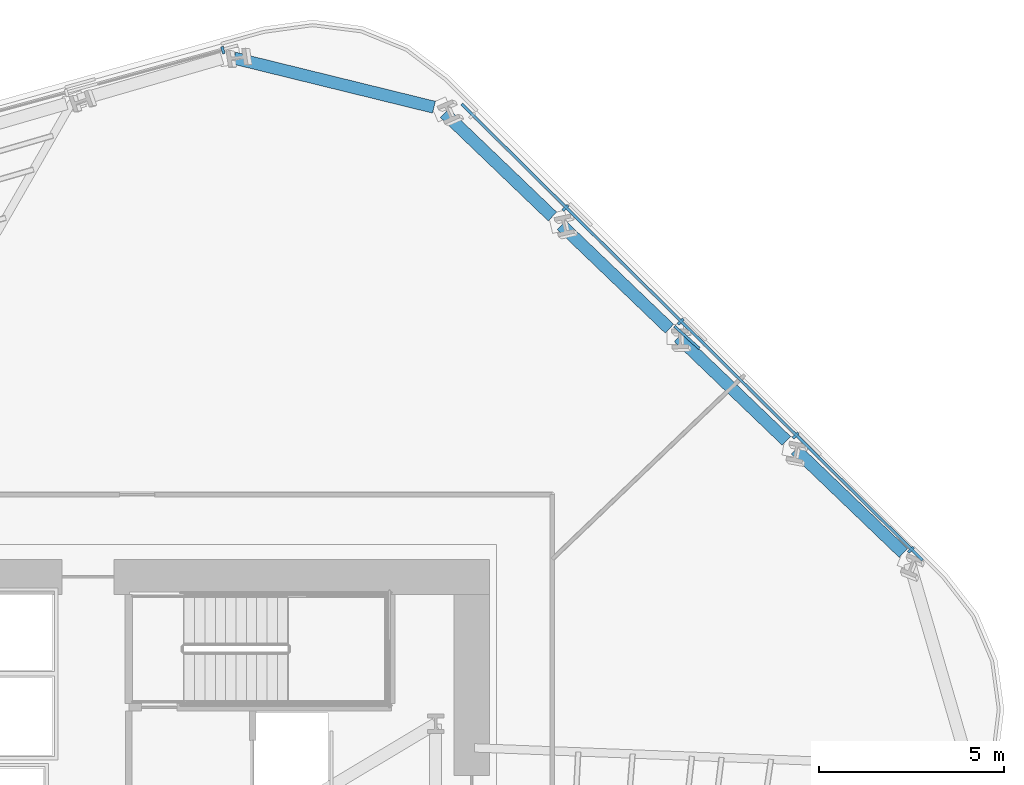
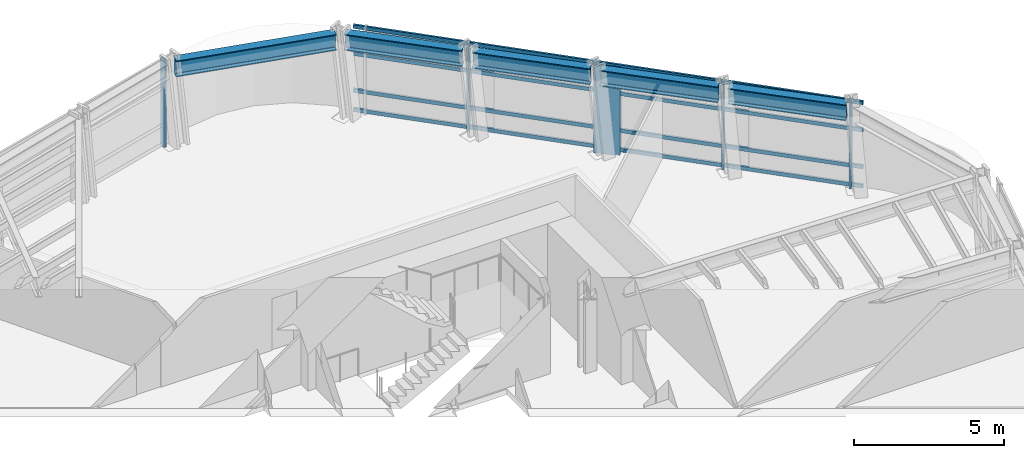
# One storey, part 6 of 16: 10 members, 5 beams, 2 elements without a shape of their own.
"""IFC4 building model written with IfcOpenShell, lengths in metres."""

import ifcopenshell
import ifcopenshell.guid

model = None  # the IFC model being written
_history = None  # IfcOwnerHistory: only IFC2X3 demands one
_inside = {}  # id of a spatial element -> (the spatial element, [elements in it])
_under = {}  # id of a project, library or spatial element -> (it, [spatial elements below it])
_declared = {}  # id of a project -> (the project, [libraries it declares])
_typed = {}  # id of a type object -> (the type object, [elements of that type])
_made_of = {}  # id of a material, layer set ... -> (it, [elements and type objects made of it])


def new_model(schema):
    """Start an empty IFC model of exactly this schema.

    Asked for "IFC4X3", IfcOpenShell would pick the latest addendum, in which some entities
    have other attributes; the version numbers below select the first issue.
    IFC2X3 requires an IfcOwnerHistory on every rooted entity: one is made here for all.
    """
    global model, _history
    if schema == "IFC4X3":
        model = ifcopenshell.file(schema_version=(4, 3, 0, 0))
    else:
        model = ifcopenshell.file(schema=schema)
    _inside.clear()
    _under.clear()
    _declared.clear()
    _typed.clear()
    _made_of.clear()
    _history = None
    if model.schema == "IFC2X3":
        org = make("IfcOrganization", Name="unknown")
        user = make(
            "IfcPersonAndOrganization",
            ThePerson=make("IfcPerson", FamilyName="unknown"),
            TheOrganization=org,
        )
        app = make(
            "IfcApplication",
            ApplicationDeveloper=org,
            Version="unknown",
            ApplicationFullName="unknown",
            ApplicationIdentifier="unknown",
        )
        _history = make(
            "IfcOwnerHistory",
            OwningUser=user,
            OwningApplication=app,
            ChangeAction="ADDED",
            CreationDate=0,
        )
    return model


def make(cls, **values):
    """One entity of the class cls with the attributes given. An attribute that is None is left unset."""
    return model.create_entity(
        cls, **{name: value for name, value in values.items() if value is not None}
    )


def rooted(cls, **values):
    """An entity with a GlobalId (a new one), such as an element, a storey or a relation."""
    return make(cls, GlobalId=ifcopenshell.guid.new(), OwnerHistory=_history, **values)


def si_unit(unit_type, name, prefix=None):
    """IfcSIUnit, for example si_unit("LENGTHUNIT", "METRE", prefix="MILLI")."""
    return make("IfcSIUnit", UnitType=unit_type, Prefix=prefix, Name=name)


def assignment(units):
    """IfcUnitAssignment: the units of a project."""
    return None if units is None else make("IfcUnitAssignment", Units=units)


def point(xyz):
    """IfcCartesianPoint."""
    return None if xyz is None else make("IfcCartesianPoint", Coordinates=xyz)


def direction(xyz):
    """IfcDirection."""
    return None if xyz is None else make("IfcDirection", DirectionRatios=xyz)


def frame(location, z_axis=None, x_axis=None):
    """IfcAxis2Placement3D, a coordinate frame: its origin and axes. An axis left out is left unset."""
    return make(
        "IfcAxis2Placement3D",
        Location=point(location),
        Axis=direction(z_axis),
        RefDirection=direction(x_axis),
    )


def frame_2d(location, x_axis=None):
    """IfcAxis2Placement2D, a coordinate frame in the plane: its origin and x axis."""
    return make(
        "IfcAxis2Placement2D", Location=point(location), RefDirection=direction(x_axis)
    )


def origin():
    """The frame at (0, 0, 0) with its axes left unset."""
    return frame((0.0, 0.0, 0.0))


def origin_2d():
    """The frame at (0, 0) in the plane with its x axis left unset."""
    return frame_2d((0.0, 0.0))


def place(relative_to, where):
    """IfcLocalPlacement: puts the frame where relative to a parent placement (None: the world)."""
    return make(
        "IfcLocalPlacement", PlacementRelTo=relative_to, RelativePlacement=where
    )


def context(
    kind, dimensions, precision=None, world=None, true_north=None, identifier=None
):
    """IfcGeometricRepresentationContext, for example the 3D "Model" context."""
    return make(
        "IfcGeometricRepresentationContext",
        ContextIdentifier=identifier,
        ContextType=kind,
        CoordinateSpaceDimension=dimensions,
        Precision=precision,
        WorldCoordinateSystem=world,
        TrueNorth=true_north,
    )


def subcontext(parent, identifier, kind, view, scale=None):
    """IfcGeometricRepresentationSubContext, for example "Body" below "Model"."""
    return make(
        "IfcGeometricRepresentationSubContext",
        ContextIdentifier=identifier,
        ContextType=kind,
        ParentContext=parent,
        TargetScale=scale,
        TargetView=view,
    )


def project(units=None, contexts=None):
    """IfcProject with its units and contexts."""
    return rooted(
        "IfcProject",
        Name="project",
        RepresentationContexts=contexts,
        UnitsInContext=assignment(units),
    )


def spatial(cls, under=None, at=None, **own):
    """A site, building, storey or space (cls), placed at a placement, below another one or the project."""
    s = rooted(cls, ObjectPlacement=at, **own)
    if under is not None:
        _under.setdefault(under.id(), (under, []))[1].append(s)
    return s


def profile(cls, at=None, kind="AREA", **sizes):
    """A parametric profile (cls). Its sizes go by their IFC names, for example OverallWidth=200.0."""
    return make(cls, ProfileType=kind, Position=at, **sizes)


def rectangle(**sizes):
    """IfcRectangleProfileDef."""
    return profile("IfcRectangleProfileDef", **sizes)


def i_section(**sizes):
    """IfcIShapeProfileDef."""
    return profile("IfcIShapeProfileDef", **sizes)


def extrude(swept, where, along, depth):
    """IfcExtrudedAreaSolid: the profile swept, set in the frame where, extruded along a direction by depth."""
    return make(
        "IfcExtrudedAreaSolid",
        SweptArea=swept,
        Position=where,
        ExtrudedDirection=direction(along),
        Depth=depth,
    )


def shape(context_of_items, identifier, shape_type, items):
    """IfcShapeRepresentation: the items that make up one representation, for example the "Body"."""
    return make(
        "IfcShapeRepresentation",
        ContextOfItems=context_of_items,
        RepresentationIdentifier=identifier,
        RepresentationType=shape_type,
        Items=items,
    )


def material(Name=None, Category=None):
    """IfcMaterial."""
    return make("IfcMaterial", Name=Name, Category=Category)


def layer(
    of_material, thickness, ventilated=None, Name=None, Category=None, Priority=None
):
    """IfcMaterialLayer: one layer of a wall or slab, of a material (None: an air gap)."""
    return make(
        "IfcMaterialLayer",
        Material=of_material,
        LayerThickness=thickness,
        IsVentilated=ventilated,
        Name=Name,
        Category=Category,
        Priority=Priority,
    )


def layer_set(layers, Name=None):
    """IfcMaterialLayerSet."""
    return make("IfcMaterialLayerSet", MaterialLayers=layers, LayerSetName=Name)


def material_profile(
    of_material, cross_section, Name=None, Category=None, Priority=None
):
    """IfcMaterialProfile: a cross section and its material."""
    return make(
        "IfcMaterialProfile",
        Name=Name,
        Material=of_material,
        Profile=cross_section,
        Priority=Priority,
        Category=Category,
    )


def profile_set(profiles, Name=None, composite=None):
    """IfcMaterialProfileSet."""
    return make(
        "IfcMaterialProfileSet",
        Name=Name,
        MaterialProfiles=profiles,
        CompositeProfile=composite,
    )


def made_of(thing, what):
    """Note that an element or type object is made of a material, layer set ...; save() writes the relation."""
    if what is not None:
        _made_of.setdefault(what.id(), (what, []))[1].append(thing)
    return thing


def type_object(cls, material=None, **own):
    """A type object (cls), such as IfcWallType, which elements share."""
    return made_of(rooted(cls, **own), material)


def element(
    cls,
    number,
    at=None,
    inside=None,
    cuts=None,
    type_object=None,
    material=None,
    context=None,
    identifier="Body",
    shape_type=None,
    held_by="IfcProductDefinitionShape",
    body=None,
    shapes=None,
    **own,
):
    """One element of the class cls, such as IfcWall. Its Tag is "e" and its number.

    at: its placement. inside: the storey or other place that contains it. cuts: it is an
    opening in that element (IfcRelVoidsElement). A single representation is given by context,
    identifier, shape_type and body (its items); several are given by shapes. held_by: the class
    of the entity that holds the representations. save() writes the other relations.
    """
    e = rooted(cls, Tag="e%d" % number, ObjectPlacement=at, **own)
    if body is not None:
        shapes = [shape(context, identifier, shape_type, body)]
    if shapes is not None:
        e.Representation = make(held_by, Representations=shapes)
    if inside is not None:
        _inside.setdefault(inside.id(), (inside, []))[1].append(e)
    if cuts is not None:
        rooted(
            "IfcRelVoidsElement", RelatingBuildingElement=cuts, RelatedOpeningElement=e
        )
    if type_object is not None:
        _typed.setdefault(type_object.id(), (type_object, []))[1].append(e)
    return made_of(e, material)


def aggregate(whole, parts):
    """IfcRelAggregates: a whole, such as a stair, and the parts it consists of."""
    return rooted("IfcRelAggregates", RelatingObject=whole, RelatedObjects=parts)


def save(model, path):
    """Write the relations noted so far, then the file.

    IfcRelAggregates (storeys below a building ...), IfcRelContainedInSpatialStructure (elements
    in a storey), IfcRelDefinesByType, IfcRelAssociatesMaterial and IfcRelDeclares: one each for
    every whole, place, type object, material and project.
    """
    for whole, parts in _under.values():
        aggregate(whole, parts)
    for where, things in _inside.values():
        rooted(
            "IfcRelContainedInSpatialStructure",
            RelatedElements=things,
            RelatingStructure=where,
        )
    for kind, things in _typed.values():
        rooted("IfcRelDefinesByType", RelatedObjects=things, RelatingType=kind)
    for what, things in _made_of.values():
        rooted("IfcRelAssociatesMaterial", RelatedObjects=things, RelatingMaterial=what)
    for by, libraries in _declared.values():
        rooted("IfcRelDeclares", RelatingContext=by, RelatedDefinitions=libraries)
    model.write(path)


model = new_model("IFC4")

# Units and contexts
model_context = context("Model", 3, precision=1e-05, world=origin(), true_north=direction((0.0, 1.0)))
body_context = subcontext(model_context, "Body", "Model", "MODEL_VIEW")
ifc_project = project(units=[si_unit("LENGTHUNIT", "METRE"), si_unit("AREAUNIT", "SQUARE_METRE"), si_unit("VOLUMEUNIT", "CUBIC_METRE"), si_unit("PLANEANGLEUNIT", "RADIAN"), si_unit("MASSUNIT", "GRAM", prefix="KILO")], contexts=[model_context])

# Site, building, storey
site_placement = place(None, origin())
site = spatial("IfcSite", under=ifc_project, at=site_placement, CompositionType="ELEMENT")
building_placement = place(site_placement, origin())
building = spatial("IfcBuilding", under=site, at=building_placement, Name="Valkerne Bourse Tower", CompositionType="ELEMENT")
storey_placement = place(building_placement, frame((0.0, 0.0, 89.60009765625)))
storey = spatial("IfcBuildingStorey", under=building, at=storey_placement, Name="L22", CompositionType="ELEMENT", Elevation=89.60009765625)

# Beams
ifc_material_1 = material(Name="Steel ASTM A992", Category="steel")
ifc_material_profile_1 = material_profile(ifc_material_1, i_section(OverallWidth=0.330078125, OverallDepth=0.647705078125, WebThickness=0.0205078125, FlangeThickness=0.037109375, FilletRadius=0.020263671875, at=origin_2d()), Name="W24X192")
ifc_profile_set_1 = profile_set([ifc_material_profile_1], Name="Steel ASTM A992")
beam_type = type_object("IfcBeamType", Name="BM-W24X192", PredefinedType="SPANDREL", material=ifc_profile_set_1)
for number, where, z_axis, x_axis, name in (
    (1, (67.60009765625, 36.2705078125, 3.256103515625), (-0.721775759784, 0.692126977215, 0.0), (-0.692126977215, -0.721775759784, 0.0), "L22 Hexagonal Spandrel Ring Beam 00"),
    (2, (64.4365234375, 39.30419921875, 3.256103515625), (-0.721775759784, 0.692126977215, 0.0), (-0.692126977215, -0.721775759784, 0.0), "L22 Hexagonal Spandrel Ring Beam 01"),
):
    element("IfcBeam", number, at=place(storey_placement, frame(where, z_axis=z_axis, x_axis=x_axis)), inside=storey, type_object=beam_type, Name=name, PredefinedType="SPANDREL", context=body_context, shape_type="SweptSolid", body=[
        extrude(i_section(OverallWidth=0.330078125, OverallDepth=0.647705078125, WebThickness=0.0205078125, FlangeThickness=0.037109375, FilletRadius=0.020263671875, at=origin_2d()), origin(), (0.0, 0.0, 1.0), 4.043212890625),
    ])
beam_1_placement = place(storey_placement, frame((61.27294921875, 42.337890625, 3.256103515625), z_axis=(-0.721746831324, 0.692157143627, 0.0), x_axis=(-0.692157143627, -0.721746831324, 0.0)))
element("IfcBeam", 3, at=beam_1_placement, inside=storey, type_object=beam_type, Name="L22 Hexagonal Spandrel Ring Beam 02", PredefinedType="SPANDREL", context=body_context, shape_type="SweptSolid", body=[
    extrude(i_section(OverallWidth=0.330078125, OverallDepth=0.647705078125, WebThickness=0.0205078125, FlangeThickness=0.037109375, FilletRadius=0.020263671875, at=origin_2d()), origin(), (0.0, 0.0, 1.0), 4.04296875),
])
beam_2_placement = place(storey_placement, frame((58.109619140625, 45.37158203125, 3.256103515625), z_axis=(-0.721775759784, 0.692126977215, 0.0), x_axis=(-0.692126977215, -0.721775759784, 0.0)))
element("IfcBeam", 4, at=beam_2_placement, inside=storey, type_object=beam_type, Name="L22 Hexagonal Spandrel Ring Beam 03", PredefinedType="SPANDREL", context=body_context, shape_type="SweptSolid", body=[
    extrude(i_section(OverallWidth=0.330078125, OverallDepth=0.647705078125, WebThickness=0.0205078125, FlangeThickness=0.037109375, FilletRadius=0.020263671875, at=origin_2d()), origin(), (0.0, 0.0, 1.0), 4.043212890625),
])
beam_3_placement = place(storey_placement, frame((54.90380859375, 48.328125, 3.256103515625), z_axis=(-0.971133034573, 0.238538527625, 0.0), x_axis=(-0.238538527625, -0.971133034573, 0.0)))
element("IfcBeam", 5, at=beam_3_placement, inside=storey, type_object=beam_type, Name="L22 Hexagonal Spandrel Ring Beam 04", PredefinedType="SPANDREL", context=body_context, shape_type="SweptSolid", body=[
    extrude(i_section(OverallWidth=0.330078125, OverallDepth=0.647705078125, WebThickness=0.0205078125, FlangeThickness=0.037109375, FilletRadius=0.020263671875, at=origin_2d()), origin(), (0.0, 0.0, 1.0), 5.564697265625),
])

# Curtain wall, members
ifc_material_2 = material(Name="Aluminium AA 6063-T6", Category="aluminium")
ifc_layer = layer(ifc_material_2, 0.22998046875)
ifc_layer_set = layer_set([ifc_layer], Name="Aluminium AA 6063-T6")
curtain_wall_type = type_object("IfcCurtainWallType", Name="CW-02", PredefinedType="NOTDEFINED", material=ifc_layer_set)
curtain_wall_1_placement = place(storey_placement, origin())
curtain_wall_1 = element("IfcCurtainWall", 6, at=curtain_wall_1_placement, inside=storey, type_object=curtain_wall_type, Name="L22 Hexagonal Stick Curtain Wall Face 1", PredefinedType="NOTDEFINED")
ifc_material_profile_2 = material_profile(ifc_material_2, rectangle(XDim=0.074951171875, YDim=0.199951171875, at=origin_2d()), Name="CWM-75X200")
ifc_profile_set_2 = profile_set([ifc_material_profile_2], Name="Aluminium AA 6063-T6")
member_type_1 = type_object("IfcMemberType", Name="CW-MUL-220X75", PredefinedType="MULLION", material=ifc_profile_set_2)
member_1_placement = place(storey_placement, frame((67.804443359375, 36.3603515625, 0.0), z_axis=(0.0, 0.0, 1.0), x_axis=(-0.710804515933, 0.703389607635, 0.0)))
member_1 = element("IfcMember", 7, at=member_1_placement, type_object=member_type_1, Name="CW-L22-F1 Jamb Mullion 00A", PredefinedType="MULLION", context=body_context, shape_type="SweptSolid", body=[
    extrude(rectangle(XDim=0.074951171875, YDim=0.199951171875, at=origin_2d()), origin(), (0.0, 0.0, 1.0), 3.579833984375),
])
member_2_placement = place(storey_placement, frame((64.68896484375, 39.443359375, 0.0), z_axis=(0.0, 0.0, 1.0), x_axis=(-0.710804634929, 0.703389487385, 0.0)))
member_2 = element("IfcMember", 8, at=member_2_placement, type_object=member_type_1, Name="CW-L22-F1 Jamb Mullion 01A", PredefinedType="MULLION", context=body_context, shape_type="SweptSolid", body=[
    extrude(rectangle(XDim=0.074951171875, YDim=0.199951171875, at=origin_2d()), origin(), (0.0, 0.0, 1.0), 3.579833984375),
])
member_3_placement = place(storey_placement, frame((61.573486328125, 42.526123046875, 0.0), z_axis=(0.0, 0.0, 1.0), x_axis=(-0.710793227719, 0.703401014663, 0.0)))
member_3 = element("IfcMember", 9, at=member_3_placement, type_object=member_type_1, Name="CW-L22-F1 Jamb Mullion 02A", PredefinedType="MULLION", context=body_context, shape_type="SweptSolid", body=[
    extrude(rectangle(XDim=0.074951171875, YDim=0.199951171875, at=origin_2d()), origin(), (0.0, 0.0, 1.0), 3.579833984375),
])
member_4_placement = place(storey_placement, frame((58.458251953125, 45.609130859375, 0.0), z_axis=(0.0, 0.0, 1.0), x_axis=(-0.710804515933, 0.703389607635, 0.0)))
member_4 = element("IfcMember", 10, at=member_4_placement, type_object=member_type_1, Name="CW-L22-F1 Jamb Mullion 03A", PredefinedType="MULLION", context=body_context, shape_type="SweptSolid", body=[
    extrude(rectangle(XDim=0.074951171875, YDim=0.199951171875, at=origin_2d()), origin(), (0.0, 0.0, 1.0), 3.579833984375),
])

# Curtain wall, member
curtain_wall_2_placement = place(storey_placement, origin())
curtain_wall_2 = element("IfcCurtainWall", 11, at=curtain_wall_2_placement, inside=storey, type_object=curtain_wall_type, Name="L22 Hexagonal Stick Curtain Wall Face 2", PredefinedType="NOTDEFINED")
member_5_placement = place(storey_placement, frame((49.196044921875, 49.87060546875, 0.0), z_axis=(0.0, 0.0, 1.0), x_axis=(-0.964559769508, -0.263864455822, 0.0)))
member_5 = element("IfcMember", 12, at=member_5_placement, type_object=member_type_1, Name="CW-L22-F2 Jamb Mullion 00A", PredefinedType="MULLION", context=body_context, shape_type="SweptSolid", body=[
    extrude(rectangle(XDim=0.074951171875, YDim=0.199951171875, at=origin_2d()), origin(), (0.0, 0.0, 1.0), 3.579833984375),
])
aggregate(curtain_wall_2, [member_5])

# Member
ifc_material_profile_3 = material_profile(ifc_material_2, rectangle(XDim=0.074951171875, YDim=0.14990234375, at=origin_2d()), Name="CWT-75X150")
ifc_profile_set_3 = profile_set([ifc_material_profile_3], Name="Aluminium AA 6063-T6")
member_type_2 = type_object("IfcMemberType", Name="CW-TRN-180X65", PredefinedType="USERDEFINED", material=ifc_profile_set_3)
member_6_placement = place(storey_placement, frame((68.1171875, 36.0791015625, 0.119873046875), z_axis=(-0.710808161889, 0.703385923226, 0.0), x_axis=(-0.703385923226, -0.710808161889, 0.0)))
member_6 = element("IfcMember", 13, at=member_6_placement, type_object=member_type_2, Name="CW-L22-F1 Continuous Face Transom 1", ObjectType="TRANSOM", PredefinedType="USERDEFINED", context=body_context, shape_type="SweptSolid", body=[
    extrude(rectangle(XDim=0.074951171875, YDim=0.14990234375, at=origin_2d()), origin(), (0.0, 0.0, 1.0), 17.531982421875),
])

member_7_placement = place(storey_placement, frame((68.1171875, 36.0791015625, 0.89990234375), z_axis=(-0.710808161889, 0.703385923226, 0.0), x_axis=(-0.703385923226, -0.710808161889, 0.0)))
member_7 = element("IfcMember", 14, at=member_7_placement, type_object=member_type_2, Name="CW-L22-F1 Continuous Face Transom 2", ObjectType="TRANSOM", PredefinedType="USERDEFINED", context=body_context, shape_type="SweptSolid", body=[
    extrude(rectangle(XDim=0.074951171875, YDim=0.14990234375, at=origin_2d()), origin(), (0.0, 0.0, 1.0), 17.531982421875),
])

member_8_placement = place(storey_placement, frame((68.1171875, 36.0791015625, 2.39990234375), z_axis=(-0.710808161889, 0.703385923226, 0.0), x_axis=(-0.703385923226, -0.710808161889, 0.0)))
member_8 = element("IfcMember", 15, at=member_8_placement, type_object=member_type_2, Name="CW-L22-F1 Continuous Face Transom 3", ObjectType="TRANSOM", PredefinedType="USERDEFINED", context=body_context, shape_type="SweptSolid", body=[
    extrude(rectangle(XDim=0.074951171875, YDim=0.14990234375, at=origin_2d()), origin(), (0.0, 0.0, 1.0), 17.531982421875),
])

member_9_placement = place(storey_placement, frame((68.1171875, 36.0791015625, 3.5), z_axis=(-0.710808161889, 0.703385923226, 0.0), x_axis=(-0.703385923226, -0.710808161889, 0.0)))
member_9 = element("IfcMember", 16, at=member_9_placement, type_object=member_type_2, Name="CW-L22-F1 Continuous Face Transom 4", ObjectType="TRANSOM", PredefinedType="USERDEFINED", context=body_context, shape_type="SweptSolid", body=[
    extrude(rectangle(XDim=0.074951171875, YDim=0.14990234375, at=origin_2d()), origin(), (0.0, 0.0, 1.0), 17.531982421875),
])

aggregate(curtain_wall_1, [member_6, member_7, member_8, member_9, member_1, member_2, member_3, member_4])

ifc_material_3 = material(Name="Bronze Anodised Aluminium AA 6063-T6", Category="aluminium")
ifc_material_profile_4 = material_profile(ifc_material_3, rectangle(XDim=0.070068359375, YDim=0.89990234375, at=origin_2d()), Name="FIN-70X900")
ifc_profile_set_4 = profile_set([ifc_material_profile_4], Name="Bronze Anodised Aluminium AA 6063-T6")
member_type_3 = type_object("IfcMemberType", Name="FIN-SOLAR-900", PredefinedType="USERDEFINED", material=ifc_profile_set_4)
member_10_placement = place(storey_placement, frame((61.74560546875, 42.102783203125, 0.00390625), z_axis=(0.0, 0.0, 1.0), x_axis=(0.667330507352, 0.7447617028, 0.0)))
element("IfcMember", 17, at=member_10_placement, inside=storey, type_object=member_type_3, Name="L22 Bronze Anodised Solar Fin F1-02", ObjectType="SOLAR_FIN", PredefinedType="USERDEFINED", context=body_context, shape_type="SweptSolid", body=[
    extrude(rectangle(XDim=0.070068359375, YDim=0.89990234375, at=origin_2d()), origin(), (0.0, 0.0, 1.0), 3.572021484375),
])

save(model, "model.ifc")
